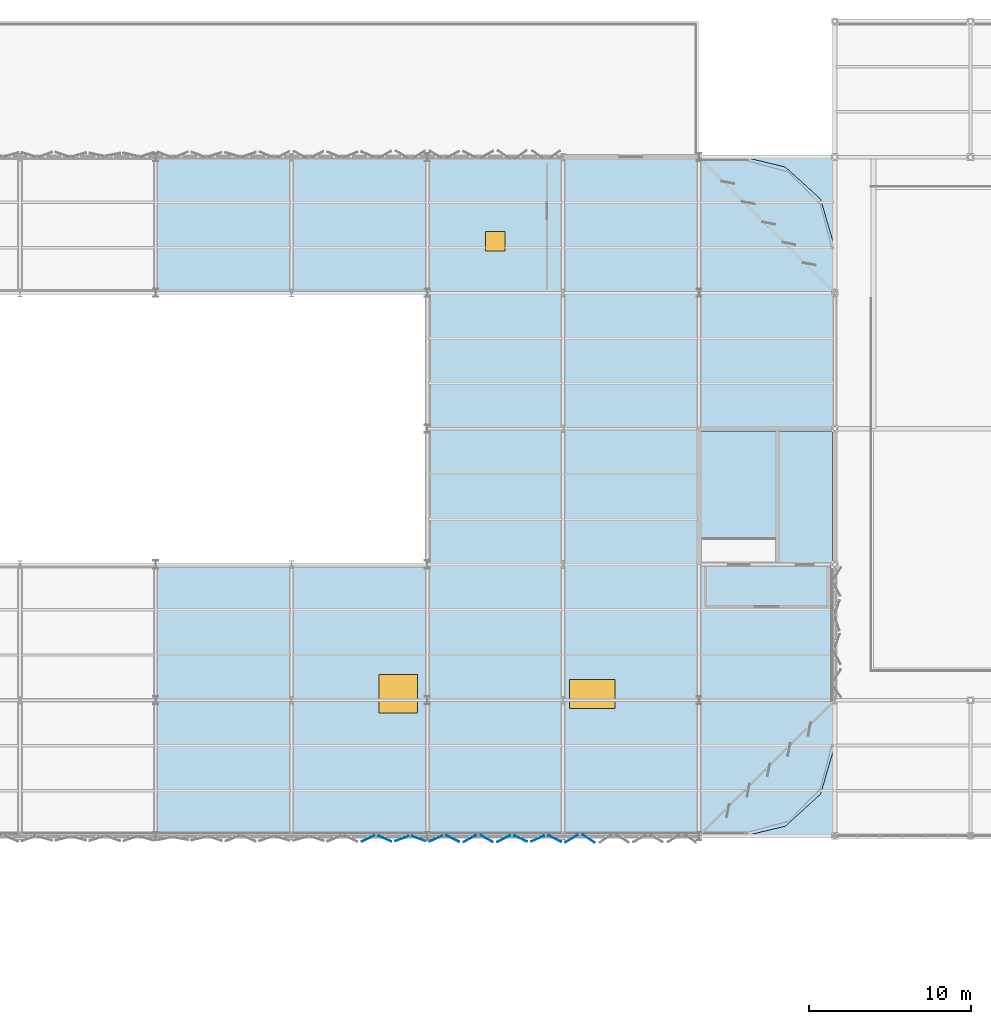
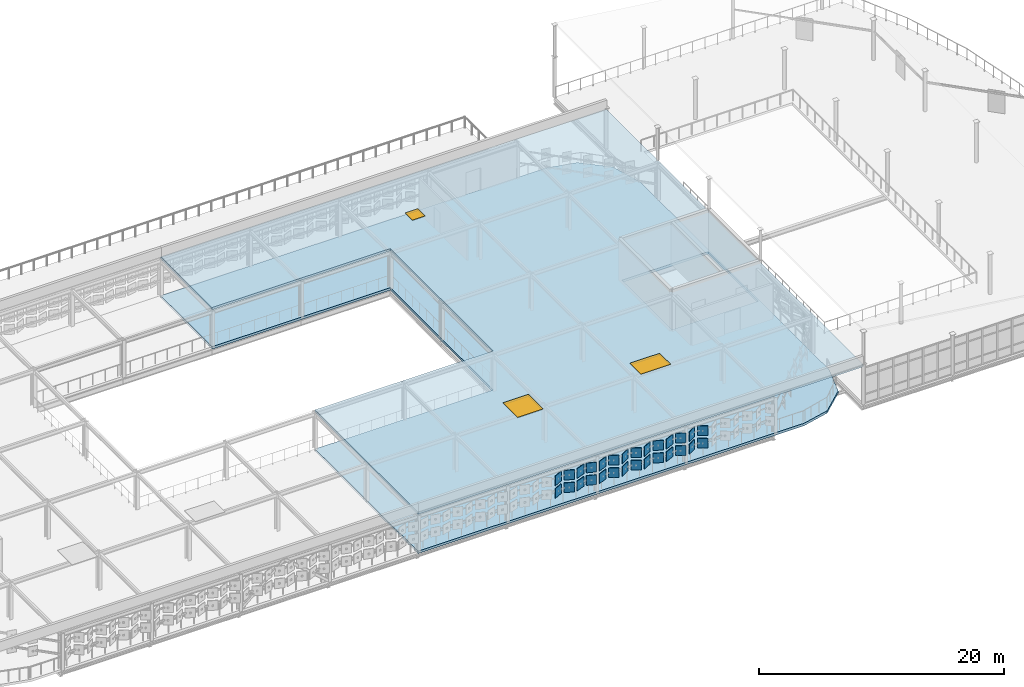
# One storey, part 43 of 65: 28 plates, 3 windows, 2 slabs, 3 openings.
"""IFC4 building model written with IfcOpenShell, lengths in metres."""

from ifc_helpers import new_model, si_unit, direction, frame, origin, origin_2d, place, context, subcontext, project, spatial, polyline, rectangle, outline, extrude, material, layer, layer_set, type_object, element, fill, save


model = new_model("IFC4")

# Units and contexts
model_context = context("Model", 3, precision=1e-05, world=origin(), true_north=direction((0.0, 1.0)))
body_context = subcontext(model_context, "Body", "Model", "MODEL_VIEW")
ifc_project = project(units=[si_unit("LENGTHUNIT", "METRE"), si_unit("AREAUNIT", "SQUARE_METRE"), si_unit("VOLUMEUNIT", "CUBIC_METRE"), si_unit("PLANEANGLEUNIT", "RADIAN"), si_unit("MASSUNIT", "GRAM", prefix="KILO")], contexts=[model_context])

# Site, building, storey
site_placement = place(None, origin())
site = spatial("IfcSite", under=ifc_project, at=site_placement, CompositionType="ELEMENT")
building_placement = place(site_placement, origin())
building = spatial("IfcBuilding", under=site, at=building_placement, Name="Qalvenar Corner Mobility Hub", CompositionType="ELEMENT")
storey_placement = place(building_placement, frame((0.0, 0.0, 17.39990234375)))
storey = spatial("IfcBuildingStorey", under=building, at=storey_placement, Name="L04", CompositionType="ELEMENT", Elevation=17.39990234375)

# Plates
ifc_material_1 = material(Name="Champagne-Silver Brushed Aluminium", Category="aluminium")
ifc_layer_1 = layer(ifc_material_1, 0.0458984375)
ifc_layer_set_1 = layer_set([ifc_layer_1], Name="Champagne-Silver Brushed Aluminium")
plate_type = type_object("IfcPlateType", Name="PLT-XC-L4-STD", PredefinedType="SHEET", material=ifc_layer_set_1)
for number, where, z_axis, x_axis, name in (
    (1, (113.925048828125, 67.0400390625, 1.02001953125), (0.0, 0.0, 1.0), (0.902284510975, 0.431141115244, 0.0), "Hinged Facade Panel FP-L04-1169"),
    (2, (113.925048828125, 67.0400390625, 2.27001953125), (0.0, 0.0, 1.0), (0.902284510975, 0.431141115244, 0.0), "Hinged Facade Panel FP-L04-1170"),
    (3, (114.97509765625, 67.0400390625, 1.02001953125), (0.0, 0.0, 1.0), (0.918860091955, -0.394583491055, 0.0), "Hinged Facade Panel FP-L04-1171"),
    (4, (114.97509765625, 67.0400390625, 2.27001953125), (0.0, 0.0, 1.0), (0.918860091955, -0.394583491055, 0.0), "Hinged Facade Panel FP-L04-1172"),
    (5, (116.02490234375, 67.0400390625, 1.02001953125), (0.0, 0.0, 1.0), (0.936243631274, 0.351351480571, 0.0), "Hinged Facade Panel FP-L04-1173"),
    (6, (116.02490234375, 67.0400390625, 2.27001953125), (0.0, 0.0, 1.0), (0.936243631274, 0.351351480571, 0.0), "Hinged Facade Panel FP-L04-1174"),
    (7, (117.074951171875, 67.0400390625, 1.02001953125), (0.0, 0.0, 1.0), (0.939573175987, -0.342348137086, 0.0), "Hinged Facade Panel FP-L04-1175"),
    (8, (117.074951171875, 67.0400390625, 2.27001953125), (0.0, 0.0, 1.0), (0.939573175987, -0.342348137086, 0.0), "Hinged Facade Panel FP-L04-1176"),
    (9, (118.125, 67.0400390625, 1.02001953125), (0.0, 0.0, 1.0), (0.92401305794, 0.382360914263, 0.0), "Hinged Facade Panel FP-L04-1177"),
    (10, (118.125, 67.0400390625, 2.27001953125), (0.0, 0.0, 1.0), (0.92401305794, 0.382360914263, 0.0), "Hinged Facade Panel FP-L04-1178"),
    (11, (119.175048828125, 67.0400390625, 1.02001953125), (0.0, 0.0, 1.0), (0.894466613728, -0.447134741355, 0.0), "Hinged Facade Panel FP-L04-1179"),
    (12, (119.175048828125, 67.0400390625, 2.27001953125), (0.0, 0.0, 1.0), (0.894466613728, -0.447134741355, 0.0), "Hinged Facade Panel FP-L04-1180"),
    (13, (120.22509765625, 67.0400390625, 1.02001953125), (0.0, 0.0, 1.0), (0.869063552887, 0.494700455876, 0.0), "Hinged Facade Panel FP-L04-1181"),
    (14, (120.22509765625, 67.0400390625, 2.27001953125), (0.0, 0.0, 1.0), (0.869063552887, 0.494700455876, 0.0), "Hinged Facade Panel FP-L04-1182"),
    (15, (121.27490234375, 67.0400390625, 1.02001953125), (0.0, 0.0, 1.0), (0.867070701164, -0.498185105339, 0.0), "Hinged Facade Panel FP-L04-1183"),
    (16, (121.27490234375, 67.0400390625, 2.27001953125), (0.0, 0.0, 1.0), (0.867070701164, -0.498185105339, 0.0), "Hinged Facade Panel FP-L04-1184"),
    (17, (122.324951171875, 67.0400390625, 1.02001953125), (0.0, 0.0, 1.0), (0.8866075438, 0.462522500293, 0.0), "Hinged Facade Panel FP-L04-1185"),
    (18, (122.324951171875, 67.0400390625, 2.27001953125), (0.0, 0.0, 1.0), (0.8866075438, 0.462522500293, 0.0), "Hinged Facade Panel FP-L04-1186"),
    (19, (123.375, 67.0400390625, 1.02001953125), (0.0, 0.0, 1.0), (0.907044014291, -0.421035813367, 0.0), "Hinged Facade Panel FP-L04-1187"),
    (20, (123.375, 67.0400390625, 2.27001953125), (0.0, 0.0, 1.0), (0.907044014291, -0.421035813367, 0.0), "Hinged Facade Panel FP-L04-1188"),
    (21, (124.425048828125, 67.0400390625, 1.02001953125), (0.0, 0.0, 1.0), (0.910683660806, 0.413104429825, 0.0), "Hinged Facade Panel FP-L04-1189"),
    (22, (124.425048828125, 67.0400390625, 2.27001953125), (0.0, 0.0, 1.0), (0.910683660806, 0.413104429825, 0.0), "Hinged Facade Panel FP-L04-1190"),
    (23, (125.47509765625, 67.0400390625, 1.02001953125), (0.0, 0.0, 1.0), (0.891718551269, -0.452590350452, 0.0), "Hinged Facade Panel FP-L04-1191"),
    (24, (125.47509765625, 67.0400390625, 2.27001953125), (0.0, 0.0, 1.0), (0.891718551269, -0.452590350452, 0.0), "Hinged Facade Panel FP-L04-1192"),
    (25, (126.52490234375, 67.0400390625, 1.02001953125), (0.0, 0.0, 1.0), (0.857167300702, 0.51503807491, 0.0), "Hinged Facade Panel FP-L04-1193"),
    (26, (126.52490234375, 67.0400390625, 2.27001953125), (0.0, 0.0, 1.0), (0.857167300702, 0.51503807491, 0.0), "Hinged Facade Panel FP-L04-1194"),
    (27, (127.574951171875, 67.0400390625, 1.02001953125), (0.0, 0.0, 1.0), (0.828549269077, -0.559916162217, 0.0), "Hinged Facade Panel FP-L04-1195"),
    (28, (127.574951171875, 67.0400390625, 2.27001953125), (0.0, 0.0, 1.0), (0.828549269077, -0.559916162217, 0.0), "Hinged Facade Panel FP-L04-1196"),
):
    element("IfcPlate", number, at=place(storey_placement, frame(where, z_axis=z_axis, x_axis=x_axis)), inside=storey, type_object=plate_type, Name=name, PredefinedType="SHEET", context=body_context, shape_type="SweptSolid", body=[
        extrude(rectangle(XDim=0.860107421875, YDim=0.0458984375, at=origin_2d()), origin(), (0.0, 0.0, 1.0), 0.9599609375),
    ])

# Slab
ifc_material_2 = material(Name="Concrete C35/45", Category="concrete")
ifc_layer_2 = layer(ifc_material_2, 0.239990234375)
ifc_layer_set_2 = layer_set([ifc_layer_2], Name="Concrete C35/45")
slab_type_1 = type_object("IfcSlabType", Name="SLB-COMP200", PredefinedType="FLOOR", material=ifc_layer_set_2)
slab_1_placement = place(storey_placement, frame((0.0, 0.0, -0.239990234375)))
element("IfcSlab", 29, at=slab_1_placement, inside=storey, type_object=slab_type_1, Name="Composite Deck V4-E-L04", PredefinedType="FLOOR", context=body_context, shape_type="SweptSolid", body=[
    extrude(outline(polyline([(100.800048828125, 67.199951171875), (137.199951171875, 67.199951171875), (139.7421875, 67.810302734375), (141.92822265625, 69.79931640625), (142.800048828125, 72.800048828125), (142.800048828125, 103.60009765625), (141.92822265625, 106.6005859375), (139.7421875, 108.589599609375), (137.199951171875, 109.199951171875), (100.800048828125, 109.199951171875), (100.800048828125, 100.800048828125), (117.60009765625, 100.800048828125), (117.60009765625, 84.0), (100.800048828125, 84.0), (100.800048828125, 67.199951171875)]), holes=[polyline([(134.530029296875, 84.1298828125), (142.669921875, 84.1298828125), (142.669921875, 92.27001953125), (134.530029296875, 92.27001953125), (134.530029296875, 84.1298828125)])]), origin(), (0.0, 0.0, 1.0), 0.239990234375),
])

# Slab, openings, windows
ifc_material_3 = material(Name="Concrete C35/45", Category="concrete")
ifc_layer_3 = layer(ifc_material_3, 0.22998046875)
ifc_layer_set_3 = layer_set([ifc_layer_3], Name="Concrete C35/45")
slab_type_2 = type_object("IfcSlabType", Name="SLB-ROOF190", PredefinedType="ROOF", material=ifc_layer_set_3)
slab_2_placement = place(storey_placement, frame((0.0, 0.0, 3.670166015625)))
slab_2 = element("IfcSlab", 30, at=slab_2_placement, inside=storey, type_object=slab_type_2, Name="EV Block Roof Slab V4-E", PredefinedType="ROOF", context=body_context, shape_type="SweptSolid", body=[
    extrude(outline(polyline([(100.800048828125, 67.199951171875), (142.800048828125, 67.199951171875), (142.800048828125, 109.199951171875), (100.800048828125, 109.199951171875), (100.800048828125, 100.800048828125), (117.60009765625, 100.800048828125), (117.60009765625, 84.0), (100.800048828125, 84.0), (100.800048828125, 67.199951171875)]), holes=[polyline([(114.60009765625, 74.800048828125), (117.0, 74.800048828125), (117.0, 77.199951171875), (114.60009765625, 77.199951171875), (114.60009765625, 74.800048828125)]), polyline([(126.39990234375, 75.10009765625), (129.199951171875, 75.10009765625), (129.199951171875, 76.89990234375), (126.39990234375, 76.89990234375), (126.39990234375, 75.10009765625)]), polyline([(121.199951171875, 103.39990234375), (122.39990234375, 103.39990234375), (122.39990234375, 104.60009765625), (121.199951171875, 104.60009765625), (121.199951171875, 103.39990234375)])]), origin(), (0.0, 0.0, 1.0), 0.22998046875),
])
opening_1_placement = place(slab_2_placement, frame((115.800048828125, 76.0, 0.0)))
opening_1 = element("IfcOpeningElement", 31, at=opening_1_placement, cuts=slab_2, Name="Opening SK-01", PredefinedType="OPENING", context=body_context, shape_type="SweptSolid", body=[
    extrude(rectangle(XDim=2.39990234375, YDim=2.39990234375, at=origin_2d()), origin(), (0.0, 0.0, 1.0), 0.22998046875),
])
opening_2_placement = place(slab_2_placement, frame((127.800048828125, 76.0, 0.0)))
opening_2 = element("IfcOpeningElement", 32, at=opening_2_placement, cuts=slab_2, Name="Opening SK-02", PredefinedType="OPENING", context=body_context, shape_type="SweptSolid", body=[
    extrude(rectangle(XDim=2.800048828125, YDim=1.800048828125, at=origin_2d()), origin(), (0.0, 0.0, 1.0), 0.22998046875),
])
opening_3_placement = place(slab_2_placement, frame((121.800048828125, 104.0, 0.0)))
opening_3 = element("IfcOpeningElement", 33, at=opening_3_placement, cuts=slab_2, Name="Opening RH-01", PredefinedType="OPENING", context=body_context, shape_type="SweptSolid", body=[
    extrude(rectangle(XDim=1.199951171875, YDim=1.199951171875, at=origin_2d()), origin(), (0.0, 0.0, 1.0), 0.22998046875),
])
ifc_material_4 = material(Name="Solar-Control Double-Glazed Bronze Window", Category="glass")
window_type_1 = type_object("IfcWindowType", Name="SKY-CON-240X240", PartitioningType="SINGLE_PANEL", PredefinedType="SKYLIGHT", material=ifc_material_4)
window_1_placement = place(opening_1_placement, frame((0.0, 0.0, 0.179931640625)))
window_1 = element("IfcWindow", 34, at=window_1_placement, inside=storey, type_object=window_type_1, Name="EV Deck Roof Skylight SK-V4-E1", OverallHeight=2.39990234375, OverallWidth=2.39990234375, PartitioningType="SINGLE_PANEL", PredefinedType="SKYLIGHT", context=body_context, shape_type="SweptSolid", body=[
    extrude(rectangle(XDim=2.39990234375, YDim=2.39990234375, at=origin_2d()), origin(), (0.0, 0.0, 1.0), 0.050048828125),
])
fill(opening_1, window_1)
window_type_2 = type_object("IfcWindowType", Name="SKY-HTCH-120X120", PartitioningType="SINGLE_PANEL", PredefinedType="SKYLIGHT", material=ifc_material_4)
window_2_placement = place(opening_3_placement, frame((0.0, 0.0, 0.179931640625)))
window_2 = element("IfcWindow", 35, at=window_2_placement, inside=storey, type_object=window_type_2, Name="ROOF ACCESS HATCH RH-V4-E", OverallHeight=1.199951171875, OverallWidth=1.199951171875, PartitioningType="SINGLE_PANEL", PredefinedType="SKYLIGHT", context=body_context, shape_type="SweptSolid", body=[
    extrude(rectangle(XDim=1.199951171875, YDim=1.199951171875, at=origin_2d()), origin(), (0.0, 0.0, 1.0), 0.050048828125),
])
fill(opening_3, window_2)
window_type_3 = type_object("IfcWindowType", Name="SKY-SPT-280X180", PartitioningType="DOUBLE_PANEL_VERTICAL", PredefinedType="SKYLIGHT", material=ifc_material_4)
window_3_placement = place(opening_2_placement, frame((0.0, 0.0, 0.179931640625)))
window_3 = element("IfcWindow", 36, at=window_3_placement, inside=storey, type_object=window_type_3, Name="EV Deck Roof Skylight SK-V4-E2", OverallHeight=1.800048828125, OverallWidth=2.800048828125, PartitioningType="SINGLE_PANEL", PredefinedType="SKYLIGHT", context=body_context, shape_type="SweptSolid", body=[
    extrude(rectangle(XDim=2.800048828125, YDim=1.800048828125, at=origin_2d()), origin(), (0.0, 0.0, 1.0), 0.050048828125),
])
fill(opening_2, window_3)

save(model, "model.ifc")
